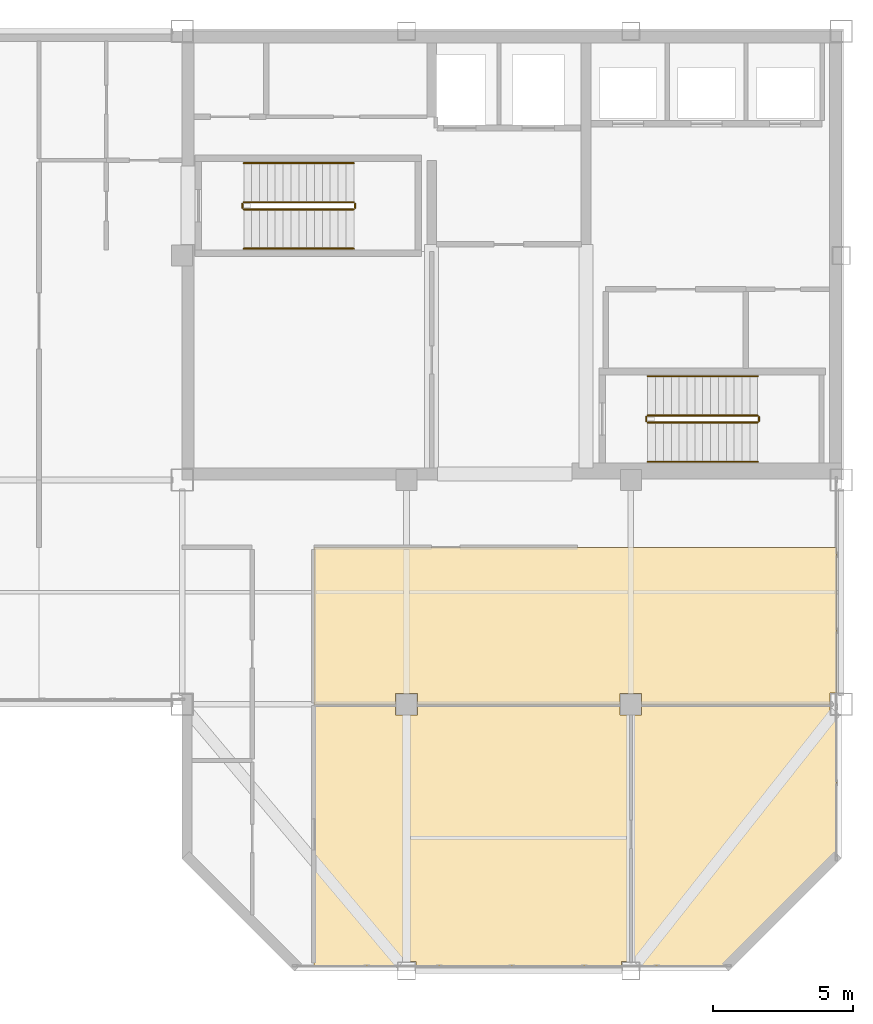
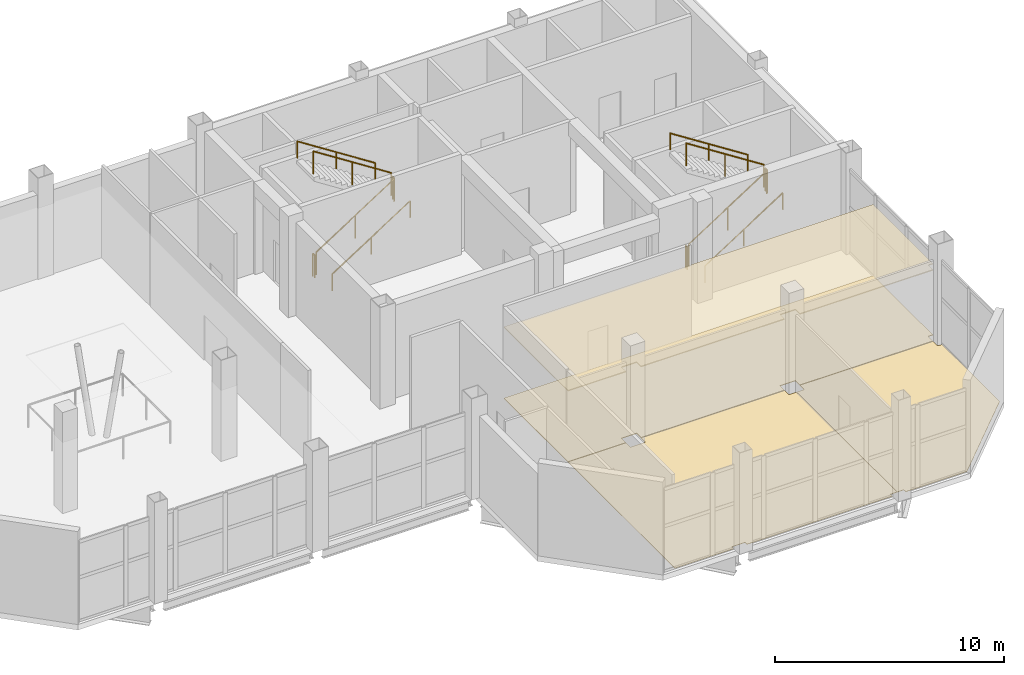
# One storey, part 15 of 16: 12 railings, 4 coverings.
"""IFC4 building model written with IfcOpenShell, lengths in metres."""

from ifc_helpers import new_model, si_unit, direction, frame, origin, origin_2d, place, context, subcontext, project, spatial, polyline, circle, outline, extrude, material, layer, layer_set, type_object, element, save


model = new_model("IFC4")

# Units and contexts
model_context = context("Model", 3, precision=1e-05, world=origin(), true_north=direction((0.0, 1.0)))
body_context = subcontext(model_context, "Body", "Model", "MODEL_VIEW")
ifc_project = project(units=[si_unit("LENGTHUNIT", "METRE"), si_unit("AREAUNIT", "SQUARE_METRE"), si_unit("VOLUMEUNIT", "CUBIC_METRE"), si_unit("PLANEANGLEUNIT", "RADIAN"), si_unit("MASSUNIT", "GRAM", prefix="KILO")], contexts=[model_context])

# Site, building, storey
site_placement = place(None, origin())
site = spatial("IfcSite", under=ifc_project, at=site_placement, CompositionType="ELEMENT")
building_placement = place(site_placement, origin())
building = spatial("IfcBuilding", under=site, at=building_placement, Name="Qianrong Seaharbour Tower", CompositionType="ELEMENT")
storey_placement = place(building_placement, frame((0.0, 0.0, 378.39990234375)))
storey = spatial("IfcBuildingStorey", under=building, at=storey_placement, Name="L91", CompositionType="ELEMENT", Elevation=378.39990234375)

# Coverings
ifc_material_1 = material(Name="Perforated acoustic gypsum ceiling board")
ifc_layer_1 = layer(ifc_material_1, 0.050048828125)
ifc_layer_set_1 = layer_set([ifc_layer_1], Name="Perforated acoustic gypsum ceiling board")
covering_type_1 = type_object("IfcCoveringType", Name="COV-CEIL-GYPSUM-50", PredefinedType="CEILING", material=ifc_layer_set_1)
covering_1_placement = place(storey_placement, frame((0.0, 0.0, 3.780029296875)))
element("IfcCovering", 1, at=covering_1_placement, inside=storey, type_object=covering_type_1, Name="L91 Sky Summit Private Dining Room Acoustic Ceiling", PredefinedType="CEILING", context=body_context, shape_type="SweptSolid", body=[
    extrude(outline(polyline([(63.824951171875, 33.60009765625), (63.824951171875, 28.409912109375), (63.590087890625, 28.409912109375), (63.590087890625, 28.0), (56.885009765625, 28.0), (56.885009765625, 28.385009765625), (56.114990234375, 28.385009765625), (56.114990234375, 28.0), (48.885009765625, 28.0), (48.885009765625, 28.385009765625), (48.114990234375, 28.385009765625), (48.114990234375, 28.0), (45.199951171875, 28.0), (45.199951171875, 33.60009765625), (63.824951171875, 33.60009765625)])), origin(), (0.0, 0.0, 1.0), 0.050048828125),
])
ifc_material_2 = material(Name="Acoustic modular carpet tile flooring")
ifc_layer_2 = layer(ifc_material_2, 0.02001953125)
ifc_layer_set_2 = layer_set([ifc_layer_2], Name="Acoustic modular carpet tile flooring")
covering_type_2 = type_object("IfcCoveringType", Name="COV-FLOOR-CARPET-20", PredefinedType="FLOORING", material=ifc_layer_set_2)
covering_2_placement = place(storey_placement, origin())
element("IfcCovering", 2, at=covering_2_placement, inside=storey, type_object=covering_type_2, Name="L91 Boardroom Finish Flooring", PredefinedType="FLOORING", context=body_context, shape_type="SweptSolid", body=[
    extrude(outline(polyline([(56.5, 18.8349609375), (56.1650390625, 18.8349609375), (56.1650390625, 18.675048828125), (48.8349609375, 18.675048828125), (48.8349609375, 18.8349609375), (48.1650390625, 18.8349609375), (48.1650390625, 18.675048828125), (45.199951171875, 18.675048828125), (45.199951171875, 28.0), (48.114990234375, 28.0), (48.114990234375, 27.614990234375), (48.885009765625, 27.614990234375), (48.885009765625, 28.0), (56.114990234375, 28.0), (56.114990234375, 27.614990234375), (56.5, 27.614990234375), (56.5, 18.8349609375)])), origin(), (0.0, 0.0, 1.0), 0.02001953125),
])
covering_3_placement = place(storey_placement, origin())
element("IfcCovering", 3, at=covering_3_placement, inside=storey, type_object=covering_type_2, Name="L91 Summit Harbour Lounge Finish Flooring", PredefinedType="FLOORING", context=body_context, shape_type="SweptSolid", body=[
    extrude(outline(polyline([(63.824951171875, 22.572509765625), (59.927490234375, 18.675048828125), (56.8349609375, 18.675048828125), (56.8349609375, 18.8349609375), (56.5, 18.8349609375), (56.5, 27.614990234375), (56.885009765625, 27.614990234375), (56.885009765625, 28.0), (63.590087890625, 28.0), (63.590087890625, 27.590087890625), (63.824951171875, 27.590087890625), (63.824951171875, 22.572509765625)])), origin(), (0.0, 0.0, 1.0), 0.02001953125),
])
ifc_material_3 = material(Name="Honed granite stone flooring", Category="masonry")
ifc_layer_3 = layer(ifc_material_3, 0.030029296875)
ifc_layer_set_3 = layer_set([ifc_layer_3], Name="Honed granite stone flooring")
covering_type_3 = type_object("IfcCoveringType", Name="COV-FLOOR-GRANITE-30", PredefinedType="FLOORING", material=ifc_layer_set_3)
covering_4_placement = place(storey_placement, origin())
element("IfcCovering", 4, at=covering_4_placement, inside=storey, type_object=covering_type_3, Name="L91 Sky Summit Private Dining Room Finish Flooring", PredefinedType="FLOORING", context=body_context, shape_type="SweptSolid", body=[
    extrude(outline(polyline([(63.824951171875, 33.60009765625), (63.824951171875, 28.409912109375), (63.590087890625, 28.409912109375), (63.590087890625, 28.0), (56.885009765625, 28.0), (56.885009765625, 28.385009765625), (56.114990234375, 28.385009765625), (56.114990234375, 28.0), (48.885009765625, 28.0), (48.885009765625, 28.385009765625), (48.114990234375, 28.385009765625), (48.114990234375, 28.0), (45.199951171875, 28.0), (45.199951171875, 33.60009765625), (63.824951171875, 33.60009765625)])), origin(), (0.0, 0.0, 1.0), 0.030029296875),
])

# Railings
ifc_material_4 = material(Name="Galvanized painted steel SN400B stair guard", Category="steel")
railing_type_1 = type_object("IfcRailingType", Name="RAIL-STAIR-GUARD-1220", PredefinedType="GUARDRAIL", material=ifc_material_4)
railing_1_placement = place(storey_placement, frame((42.699951171875, 45.64990234375, 0.18017578125)))
element("IfcRailing", 5, at=railing_1_placement, inside=storey, type_object=railing_type_1, Name="L91 ST-1 stair guard 1", PredefinedType="GUARDRAIL", context=body_context, shape_type="SweptSolid", body=[
    extrude(circle(Radius=0.02392578125, at=origin_2d()), frame((0.0, 0.0, 1.19580078125), z_axis=(0.841186985886, 0.0, 0.540744352514), x_axis=(0.0, 1.0, 0.0)), (0.0, 0.0, 1.0), 4.660400390625),
    extrude(circle(Radius=0.02099609375, at=origin_2d()), origin(), (0.0, 0.0, 1.0), 1.171875),
    extrude(circle(Radius=0.02099609375, at=origin_2d()), frame((1.9599609375, 0.0, 1.260009765625)), (0.0, 0.0, 1.0), 1.171875),
    extrude(circle(Radius=0.02099609375, at=origin_2d()), frame((3.920166015625, 0.0, 2.52001953125)), (0.0, 0.0, 1.0), 1.171875),
])
railing_2_placement = place(storey_placement, frame((46.669921875, 45.699951171875, 2.7001953125)))
element("IfcRailing", 6, at=railing_2_placement, inside=storey, type_object=railing_type_1, Name="L91 ST-1 stair guard 2", PredefinedType="GUARDRAIL", context=body_context, shape_type="SweptSolid", body=[
    extrude(circle(Radius=0.02392578125, at=origin_2d()), frame((0.0, 0.0, 1.19580078125), z_axis=(0.0, 1.0, 0.0), x_axis=(-1.0, 0.0, 0.0)), (0.0, 0.0, 1.0), 0.150146484375),
    extrude(circle(Radius=0.02099609375, at=origin_2d()), origin(), (0.0, 0.0, 1.0), 1.171875),
    extrude(circle(Radius=0.02099609375, at=origin_2d()), frame((0.0, 0.150146484375, 0.0)), (0.0, 0.0, 1.0), 1.171875),
])
railing_3_placement = place(storey_placement, frame((46.6201171875, 45.89990234375, 2.880126953125)))
element("IfcRailing", 7, at=railing_3_placement, inside=storey, type_object=railing_type_1, Name="L91 ST-1 stair guard 3", PredefinedType="GUARDRAIL", context=body_context, shape_type="SweptSolid", body=[
    extrude(circle(Radius=0.02392578125, at=origin_2d()), frame((0.0, 0.0, 1.19580078125), z_axis=(-0.841186985886, 0.0, 0.540744352514), x_axis=(0.0, -1.0, 0.0)), (0.0, 0.0, 1.0), 4.660400390625),
    extrude(circle(Radius=0.02099609375, at=origin_2d()), origin(), (0.0, 0.0, 1.0), 1.171875),
    extrude(circle(Radius=0.02099609375, at=origin_2d()), frame((-1.9599609375, 0.0, 1.260009765625)), (0.0, 0.0, 1.0), 1.171875),
    extrude(circle(Radius=0.02099609375, at=origin_2d()), frame((-3.920166015625, 0.0, 2.52001953125)), (0.0, 0.0, 1.0), 1.171875),
])
railing_4_placement = place(storey_placement, frame((42.64990234375, 45.699951171875, 0.0)))
element("IfcRailing", 8, at=railing_4_placement, inside=storey, type_object=railing_type_1, Name="L91 ST-1 stair guard 4", PredefinedType="GUARDRAIL", context=body_context, shape_type="SweptSolid", body=[
    extrude(circle(Radius=0.02392578125, at=origin_2d()), frame((0.0, 0.0, 1.19580078125), z_axis=(0.0, 1.0, 0.0), x_axis=(-1.0, 0.0, 0.0)), (0.0, 0.0, 1.0), 0.150146484375),
    extrude(circle(Radius=0.02099609375, at=origin_2d()), origin(), (0.0, 0.0, 1.0), 1.171875),
    extrude(circle(Radius=0.02099609375, at=origin_2d()), frame((0.0, 0.150146484375, 0.0)), (0.0, 0.0, 1.0), 1.171875),
])
railing_5_placement = place(storey_placement, frame((57.10009765625, 38.050048828125, 0.18017578125)))
element("IfcRailing", 9, at=railing_5_placement, inside=storey, type_object=railing_type_1, Name="L91 ST-2 stair guard 1", PredefinedType="GUARDRAIL", context=body_context, shape_type="SweptSolid", body=[
    extrude(circle(Radius=0.02392578125, at=origin_2d()), frame((0.0, 0.0, 1.19580078125), z_axis=(0.841171666519, 0.0, 0.540768182723), x_axis=(0.0, 1.0, 0.0)), (0.0, 0.0, 1.0), 4.66015625),
    extrude(circle(Radius=0.02099609375, at=origin_2d()), origin(), (0.0, 0.0, 1.0), 1.171875),
    extrude(circle(Radius=0.02099609375, at=origin_2d()), frame((1.9599609375, 0.0, 1.260009765625)), (0.0, 0.0, 1.0), 1.171875),
    extrude(circle(Radius=0.02099609375, at=origin_2d()), frame((3.919921875, 0.0, 2.52001953125)), (0.0, 0.0, 1.0), 1.171875),
])
railing_6_placement = place(storey_placement, frame((61.070068359375, 38.10009765625, 2.7001953125)))
element("IfcRailing", 10, at=railing_6_placement, inside=storey, type_object=railing_type_1, Name="L91 ST-2 stair guard 2", PredefinedType="GUARDRAIL", context=body_context, shape_type="SweptSolid", body=[
    extrude(circle(Radius=0.02392578125, at=origin_2d()), frame((0.0, 0.0, 1.19580078125), z_axis=(0.0, 1.0, 0.0), x_axis=(-1.0, 0.0, 0.0)), (0.0, 0.0, 1.0), 0.14990234375),
    extrude(circle(Radius=0.02099609375, at=origin_2d()), origin(), (0.0, 0.0, 1.0), 1.171875),
    extrude(circle(Radius=0.02099609375, at=origin_2d()), frame((0.0, 0.14990234375, 0.0)), (0.0, 0.0, 1.0), 1.171875),
])
railing_7_placement = place(storey_placement, frame((61.02001953125, 38.300048828125, 2.880126953125)))
element("IfcRailing", 11, at=railing_7_placement, inside=storey, type_object=railing_type_1, Name="L91 ST-2 stair guard 3", PredefinedType="GUARDRAIL", context=body_context, shape_type="SweptSolid", body=[
    extrude(circle(Radius=0.02392578125, at=origin_2d()), frame((0.0, 0.0, 1.19580078125), z_axis=(-0.841171666519, 0.0, 0.540768182723), x_axis=(0.0, -1.0, 0.0)), (0.0, 0.0, 1.0), 4.66015625),
    extrude(circle(Radius=0.02099609375, at=origin_2d()), origin(), (0.0, 0.0, 1.0), 1.171875),
    extrude(circle(Radius=0.02099609375, at=origin_2d()), frame((-1.9599609375, 0.0, 1.260009765625)), (0.0, 0.0, 1.0), 1.171875),
    extrude(circle(Radius=0.02099609375, at=origin_2d()), frame((-3.919921875, 0.0, 2.52001953125)), (0.0, 0.0, 1.0), 1.171875),
])
railing_8_placement = place(storey_placement, frame((57.050048828125, 38.10009765625, 0.0)))
element("IfcRailing", 12, at=railing_8_placement, inside=storey, type_object=railing_type_1, Name="L91 ST-2 stair guard 4", PredefinedType="GUARDRAIL", context=body_context, shape_type="SweptSolid", body=[
    extrude(circle(Radius=0.02392578125, at=origin_2d()), frame((0.0, 0.0, 1.19580078125), z_axis=(0.0, 1.0, 0.0), x_axis=(-1.0, 0.0, 0.0)), (0.0, 0.0, 1.0), 0.14990234375),
    extrude(circle(Radius=0.02099609375, at=origin_2d()), origin(), (0.0, 0.0, 1.0), 1.171875),
    extrude(circle(Radius=0.02099609375, at=origin_2d()), frame((0.0, 0.14990234375, 0.0)), (0.0, 0.0, 1.0), 1.171875),
])
ifc_material_5 = material(Name="Stainless steel SUS316L continuous handrail", Category="steel")
railing_type_2 = type_object("IfcRailingType", Name="RAIL-STAIR-HANDRAIL-900", PredefinedType="HANDRAIL", material=ifc_material_5)
railing_9_placement = place(storey_placement, frame((42.699951171875, 44.25, 0.18017578125)))
element("IfcRailing", 13, at=railing_9_placement, inside=storey, type_object=railing_type_2, Name="L91 ST-1 stair handrail 1", PredefinedType="HANDRAIL", context=body_context, shape_type="SweptSolid", body=[
    extrude(circle(Radius=0.02392578125, at=origin_2d()), frame((0.0, 0.0, 0.8759765625), z_axis=(0.841186985886, 0.0, 0.540744352514), x_axis=(0.0, 1.0, 0.0)), (0.0, 0.0, 1.0), 4.660400390625),
    extrude(circle(Radius=0.02099609375, at=origin_2d()), origin(), (0.0, 0.0, 1.0), 0.851806640625),
    extrude(circle(Radius=0.02099609375, at=origin_2d()), frame((1.9599609375, 0.0, 1.260009765625)), (0.0, 0.0, 1.0), 0.851806640625),
    extrude(circle(Radius=0.02099609375, at=origin_2d()), frame((3.920166015625, 0.0, 2.52001953125)), (0.0, 0.0, 1.0), 0.851806640625),
])
railing_10_placement = place(storey_placement, frame((46.6201171875, 47.300048828125, 2.880126953125)))
element("IfcRailing", 14, at=railing_10_placement, inside=storey, type_object=railing_type_2, Name="L91 ST-1 stair handrail 2", PredefinedType="HANDRAIL", context=body_context, shape_type="SweptSolid", body=[
    extrude(circle(Radius=0.02392578125, at=origin_2d()), frame((0.0, 0.0, 0.8759765625), z_axis=(-0.841186985886, 0.0, 0.540744352514), x_axis=(0.0, -1.0, 0.0)), (0.0, 0.0, 1.0), 4.660400390625),
    extrude(circle(Radius=0.02099609375, at=origin_2d()), origin(), (0.0, 0.0, 1.0), 0.851806640625),
    extrude(circle(Radius=0.02099609375, at=origin_2d()), frame((-1.9599609375, 0.0, 1.260009765625)), (0.0, 0.0, 1.0), 0.851806640625),
    extrude(circle(Radius=0.02099609375, at=origin_2d()), frame((-3.920166015625, 0.0, 2.52001953125)), (0.0, 0.0, 1.0), 0.851806640625),
])
railing_11_placement = place(storey_placement, frame((57.10009765625, 36.64990234375, 0.18017578125)))
element("IfcRailing", 15, at=railing_11_placement, inside=storey, type_object=railing_type_2, Name="L91 ST-2 stair handrail 1", PredefinedType="HANDRAIL", context=body_context, shape_type="SweptSolid", body=[
    extrude(circle(Radius=0.02392578125, at=origin_2d()), frame((0.0, 0.0, 0.8759765625), z_axis=(0.841171666519, 0.0, 0.540768182723), x_axis=(0.0, 1.0, 0.0)), (0.0, 0.0, 1.0), 4.66015625),
    extrude(circle(Radius=0.02099609375, at=origin_2d()), origin(), (0.0, 0.0, 1.0), 0.851806640625),
    extrude(circle(Radius=0.02099609375, at=origin_2d()), frame((1.9599609375, 0.0, 1.260009765625)), (0.0, 0.0, 1.0), 0.851806640625),
    extrude(circle(Radius=0.02099609375, at=origin_2d()), frame((3.919921875, 0.0, 2.52001953125)), (0.0, 0.0, 1.0), 0.851806640625),
])
railing_12_placement = place(storey_placement, frame((61.02001953125, 39.699951171875, 2.880126953125)))
element("IfcRailing", 16, at=railing_12_placement, inside=storey, type_object=railing_type_2, Name="L91 ST-2 stair handrail 2", PredefinedType="HANDRAIL", context=body_context, shape_type="SweptSolid", body=[
    extrude(circle(Radius=0.02392578125, at=origin_2d()), frame((0.0, 0.0, 0.8759765625), z_axis=(-0.841171666519, 0.0, 0.540768182723), x_axis=(0.0, -1.0, 0.0)), (0.0, 0.0, 1.0), 4.66015625),
    extrude(circle(Radius=0.02099609375, at=origin_2d()), origin(), (0.0, 0.0, 1.0), 0.851806640625),
    extrude(circle(Radius=0.02099609375, at=origin_2d()), frame((-1.9599609375, 0.0, 1.260009765625)), (0.0, 0.0, 1.0), 0.851806640625),
    extrude(circle(Radius=0.02099609375, at=origin_2d()), frame((-3.919921875, 0.0, 2.52001953125)), (0.0, 0.0, 1.0), 0.851806640625),
])

save(model, "model.ifc")
